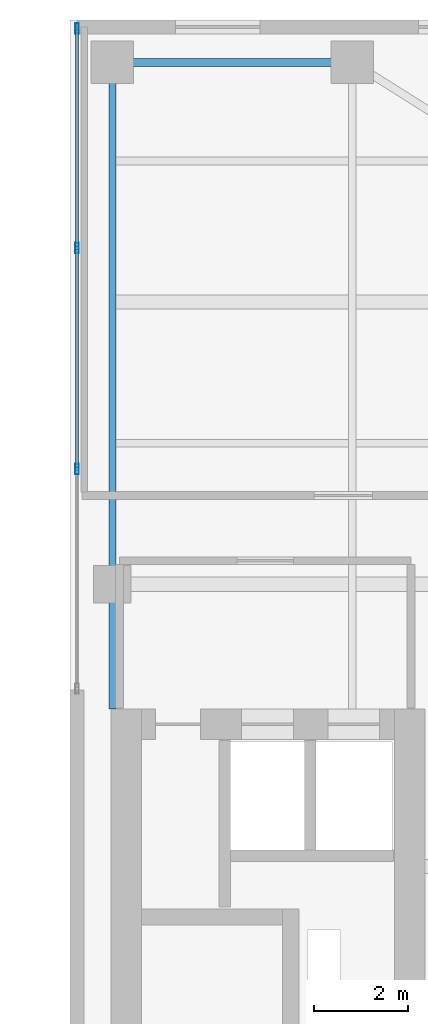
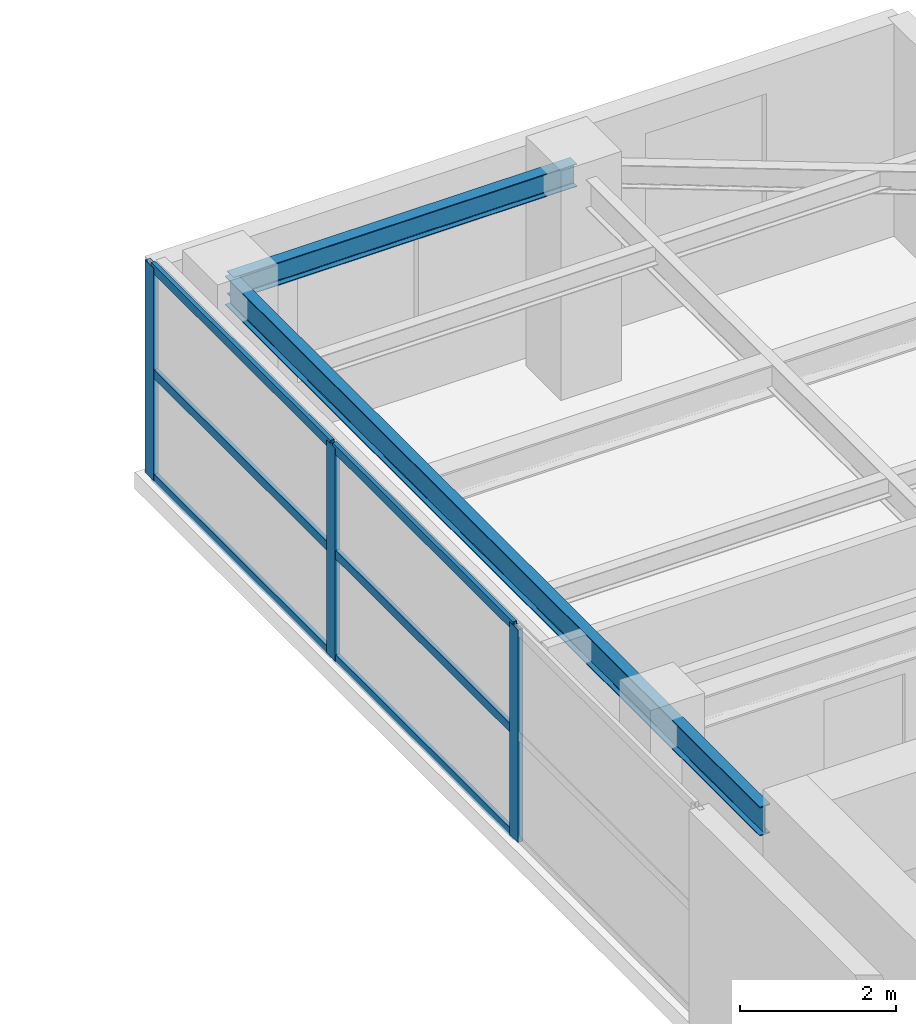
# One storey, part 14 of 20: 9 members, 2 beams, 1 element without a shape of its own.
"""IFC4 building model written with IfcOpenShell, lengths in metres."""

import ifcopenshell
import ifcopenshell.guid

model = None  # the IFC model being written
_history = None  # IfcOwnerHistory: only IFC2X3 demands one
_inside = {}  # id of a spatial element -> (the spatial element, [elements in it])
_under = {}  # id of a project, library or spatial element -> (it, [spatial elements below it])
_declared = {}  # id of a project -> (the project, [libraries it declares])
_typed = {}  # id of a type object -> (the type object, [elements of that type])
_made_of = {}  # id of a material, layer set ... -> (it, [elements and type objects made of it])


def new_model(schema):
    """Start an empty IFC model of exactly this schema.

    Asked for "IFC4X3", IfcOpenShell would pick the latest addendum, in which some entities
    have other attributes; the version numbers below select the first issue.
    IFC2X3 requires an IfcOwnerHistory on every rooted entity: one is made here for all.
    """
    global model, _history
    if schema == "IFC4X3":
        model = ifcopenshell.file(schema_version=(4, 3, 0, 0))
    else:
        model = ifcopenshell.file(schema=schema)
    _inside.clear()
    _under.clear()
    _declared.clear()
    _typed.clear()
    _made_of.clear()
    _history = None
    if model.schema == "IFC2X3":
        org = make("IfcOrganization", Name="unknown")
        user = make(
            "IfcPersonAndOrganization",
            ThePerson=make("IfcPerson", FamilyName="unknown"),
            TheOrganization=org,
        )
        app = make(
            "IfcApplication",
            ApplicationDeveloper=org,
            Version="unknown",
            ApplicationFullName="unknown",
            ApplicationIdentifier="unknown",
        )
        _history = make(
            "IfcOwnerHistory",
            OwningUser=user,
            OwningApplication=app,
            ChangeAction="ADDED",
            CreationDate=0,
        )
    return model


def make(cls, **values):
    """One entity of the class cls with the attributes given. An attribute that is None is left unset."""
    return model.create_entity(
        cls, **{name: value for name, value in values.items() if value is not None}
    )


def rooted(cls, **values):
    """An entity with a GlobalId (a new one), such as an element, a storey or a relation."""
    return make(cls, GlobalId=ifcopenshell.guid.new(), OwnerHistory=_history, **values)


def si_unit(unit_type, name, prefix=None):
    """IfcSIUnit, for example si_unit("LENGTHUNIT", "METRE", prefix="MILLI")."""
    return make("IfcSIUnit", UnitType=unit_type, Prefix=prefix, Name=name)


def assignment(units):
    """IfcUnitAssignment: the units of a project."""
    return None if units is None else make("IfcUnitAssignment", Units=units)


def point(xyz):
    """IfcCartesianPoint."""
    return None if xyz is None else make("IfcCartesianPoint", Coordinates=xyz)


def direction(xyz):
    """IfcDirection."""
    return None if xyz is None else make("IfcDirection", DirectionRatios=xyz)


def frame(location, z_axis=None, x_axis=None):
    """IfcAxis2Placement3D, a coordinate frame: its origin and axes. An axis left out is left unset."""
    return make(
        "IfcAxis2Placement3D",
        Location=point(location),
        Axis=direction(z_axis),
        RefDirection=direction(x_axis),
    )


def frame_2d(location, x_axis=None):
    """IfcAxis2Placement2D, a coordinate frame in the plane: its origin and x axis."""
    return make(
        "IfcAxis2Placement2D", Location=point(location), RefDirection=direction(x_axis)
    )


def origin():
    """The frame at (0, 0, 0) with its axes left unset."""
    return frame((0.0, 0.0, 0.0))


def origin_2d():
    """The frame at (0, 0) in the plane with its x axis left unset."""
    return frame_2d((0.0, 0.0))


def place(relative_to, where):
    """IfcLocalPlacement: puts the frame where relative to a parent placement (None: the world)."""
    return make(
        "IfcLocalPlacement", PlacementRelTo=relative_to, RelativePlacement=where
    )


def context(
    kind, dimensions, precision=None, world=None, true_north=None, identifier=None
):
    """IfcGeometricRepresentationContext, for example the 3D "Model" context."""
    return make(
        "IfcGeometricRepresentationContext",
        ContextIdentifier=identifier,
        ContextType=kind,
        CoordinateSpaceDimension=dimensions,
        Precision=precision,
        WorldCoordinateSystem=world,
        TrueNorth=true_north,
    )


def subcontext(parent, identifier, kind, view, scale=None):
    """IfcGeometricRepresentationSubContext, for example "Body" below "Model"."""
    return make(
        "IfcGeometricRepresentationSubContext",
        ContextIdentifier=identifier,
        ContextType=kind,
        ParentContext=parent,
        TargetScale=scale,
        TargetView=view,
    )


def project(units=None, contexts=None):
    """IfcProject with its units and contexts."""
    return rooted(
        "IfcProject",
        Name="project",
        RepresentationContexts=contexts,
        UnitsInContext=assignment(units),
    )


def spatial(cls, under=None, at=None, **own):
    """A site, building, storey or space (cls), placed at a placement, below another one or the project."""
    s = rooted(cls, ObjectPlacement=at, **own)
    if under is not None:
        _under.setdefault(under.id(), (under, []))[1].append(s)
    return s


def profile(cls, at=None, kind="AREA", **sizes):
    """A parametric profile (cls). Its sizes go by their IFC names, for example OverallWidth=200.0."""
    return make(cls, ProfileType=kind, Position=at, **sizes)


def hollow_rectangle(**sizes):
    """IfcRectangleHollowProfileDef."""
    return profile("IfcRectangleHollowProfileDef", **sizes)


def i_section(**sizes):
    """IfcIShapeProfileDef."""
    return profile("IfcIShapeProfileDef", **sizes)


def extrude(swept, where, along, depth):
    """IfcExtrudedAreaSolid: the profile swept, set in the frame where, extruded along a direction by depth."""
    return make(
        "IfcExtrudedAreaSolid",
        SweptArea=swept,
        Position=where,
        ExtrudedDirection=direction(along),
        Depth=depth,
    )


def shape(context_of_items, identifier, shape_type, items):
    """IfcShapeRepresentation: the items that make up one representation, for example the "Body"."""
    return make(
        "IfcShapeRepresentation",
        ContextOfItems=context_of_items,
        RepresentationIdentifier=identifier,
        RepresentationType=shape_type,
        Items=items,
    )


def source(mapping_origin, context_of_items, identifier, shape_type, items):
    """IfcRepresentationMap: a shape defined once, which mapped items show again and again."""
    return make(
        "IfcRepresentationMap",
        MappingOrigin=mapping_origin,
        MappedRepresentation=shape(context_of_items, identifier, shape_type, items),
    )


def transform(
    local_origin,
    x_axis=None,
    y_axis=None,
    z_axis=None,
    scale=None,
    scale2=None,
    scale3=None,
    uniform=True,
):
    """IfcCartesianTransformationOperator3D, or its non-uniform kind. x_axis, y_axis, z_axis: its Axis1, 2, 3."""
    if uniform:
        return make(
            "IfcCartesianTransformationOperator3D",
            Axis1=direction(x_axis),
            Axis2=direction(y_axis),
            LocalOrigin=point(local_origin),
            Scale=scale,
            Axis3=direction(z_axis),
        )
    return make(
        "IfcCartesianTransformationOperator3DnonUniform",
        Axis1=direction(x_axis),
        Axis2=direction(y_axis),
        LocalOrigin=point(local_origin),
        Scale=scale,
        Axis3=direction(z_axis),
        Scale2=scale2,
        Scale3=scale3,
    )


def mapped(mapping_source, mapping_target):
    """IfcMappedItem: shows the shape of a source again, moved by a transform."""
    return make(
        "IfcMappedItem", MappingSource=mapping_source, MappingTarget=mapping_target
    )


def material(Name=None, Category=None):
    """IfcMaterial."""
    return make("IfcMaterial", Name=Name, Category=Category)


def layer(
    of_material, thickness, ventilated=None, Name=None, Category=None, Priority=None
):
    """IfcMaterialLayer: one layer of a wall or slab, of a material (None: an air gap)."""
    return make(
        "IfcMaterialLayer",
        Material=of_material,
        LayerThickness=thickness,
        IsVentilated=ventilated,
        Name=Name,
        Category=Category,
        Priority=Priority,
    )


def layer_set(layers, Name=None):
    """IfcMaterialLayerSet."""
    return make("IfcMaterialLayerSet", MaterialLayers=layers, LayerSetName=Name)


def material_profile(
    of_material, cross_section, Name=None, Category=None, Priority=None
):
    """IfcMaterialProfile: a cross section and its material."""
    return make(
        "IfcMaterialProfile",
        Name=Name,
        Material=of_material,
        Profile=cross_section,
        Priority=Priority,
        Category=Category,
    )


def profile_set(profiles, Name=None, composite=None):
    """IfcMaterialProfileSet."""
    return make(
        "IfcMaterialProfileSet",
        Name=Name,
        MaterialProfiles=profiles,
        CompositeProfile=composite,
    )


def made_of(thing, what):
    """Note that an element or type object is made of a material, layer set ...; save() writes the relation."""
    if what is not None:
        _made_of.setdefault(what.id(), (what, []))[1].append(thing)
    return thing


def type_object(cls, material=None, **own):
    """A type object (cls), such as IfcWallType, which elements share."""
    return made_of(rooted(cls, **own), material)


def element(
    cls,
    number,
    at=None,
    inside=None,
    cuts=None,
    type_object=None,
    material=None,
    context=None,
    identifier="Body",
    shape_type=None,
    held_by="IfcProductDefinitionShape",
    body=None,
    shapes=None,
    **own,
):
    """One element of the class cls, such as IfcWall. Its Tag is "e" and its number.

    at: its placement. inside: the storey or other place that contains it. cuts: it is an
    opening in that element (IfcRelVoidsElement). A single representation is given by context,
    identifier, shape_type and body (its items); several are given by shapes. held_by: the class
    of the entity that holds the representations. save() writes the other relations.
    """
    e = rooted(cls, Tag="e%d" % number, ObjectPlacement=at, **own)
    if body is not None:
        shapes = [shape(context, identifier, shape_type, body)]
    if shapes is not None:
        e.Representation = make(held_by, Representations=shapes)
    if inside is not None:
        _inside.setdefault(inside.id(), (inside, []))[1].append(e)
    if cuts is not None:
        rooted(
            "IfcRelVoidsElement", RelatingBuildingElement=cuts, RelatedOpeningElement=e
        )
    if type_object is not None:
        _typed.setdefault(type_object.id(), (type_object, []))[1].append(e)
    return made_of(e, material)


def aggregate(whole, parts):
    """IfcRelAggregates: a whole, such as a stair, and the parts it consists of."""
    return rooted("IfcRelAggregates", RelatingObject=whole, RelatedObjects=parts)


def save(model, path):
    """Write the relations noted so far, then the file.

    IfcRelAggregates (storeys below a building ...), IfcRelContainedInSpatialStructure (elements
    in a storey), IfcRelDefinesByType, IfcRelAssociatesMaterial and IfcRelDeclares: one each for
    every whole, place, type object, material and project.
    """
    for whole, parts in _under.values():
        aggregate(whole, parts)
    for where, things in _inside.values():
        rooted(
            "IfcRelContainedInSpatialStructure",
            RelatedElements=things,
            RelatingStructure=where,
        )
    for kind, things in _typed.values():
        rooted("IfcRelDefinesByType", RelatedObjects=things, RelatingType=kind)
    for what, things in _made_of.values():
        rooted("IfcRelAssociatesMaterial", RelatedObjects=things, RelatingMaterial=what)
    for by, libraries in _declared.values():
        rooted("IfcRelDeclares", RelatingContext=by, RelatedDefinitions=libraries)
    model.write(path)


model = new_model("IFC4")

# Units and contexts
model_context = context("Model", 3, precision=1e-05, world=origin(), true_north=direction((0.0, 1.0)))
body_context = subcontext(model_context, "Body", "Model", "MODEL_VIEW")
ifc_project = project(units=[si_unit("LENGTHUNIT", "METRE"), si_unit("AREAUNIT", "SQUARE_METRE"), si_unit("VOLUMEUNIT", "CUBIC_METRE"), si_unit("PLANEANGLEUNIT", "RADIAN"), si_unit("MASSUNIT", "GRAM", prefix="KILO")], contexts=[model_context])

# Site, building, storey
site_placement = place(None, origin())
site = spatial("IfcSite", under=ifc_project, at=site_placement, CompositionType="ELEMENT")
building_placement = place(site_placement, origin())
building = spatial("IfcBuilding", under=site, at=building_placement, Name="Khoralis Quay Care Tower", CompositionType="ELEMENT")
storey_placement = place(building_placement, frame((0.0, 0.0, 198.89990234375)))
storey = spatial("IfcBuildingStorey", under=building, at=storey_placement, Name="L52", CompositionType="ELEMENT", Elevation=198.89990234375)

# Beams
ifc_material_1 = material(Name="Steel S355", Category="steel")
ifc_material_profile_1 = material_profile(ifc_material_1, i_section(OverallWidth=0.169921875, OverallDepth=0.360107421875, WebThickness=0.008056640625, FlangeThickness=0.0126953125, FilletRadius=0.01806640625, at=origin_2d()), Name="Steel S355")
ifc_profile_set_1 = profile_set([ifc_material_profile_1], Name="Steel S355")
beam_type_1 = type_object("IfcBeamType", Name="BM-IPE360", PredefinedType="SPANDREL", material=ifc_profile_set_1)
shared_shape_1 = source(origin(), body_context, "Body", "SweptSolid", [
    extrude(i_section(OverallWidth=0.169921875, OverallDepth=0.360107421875, WebThickness=0.008056640625, FlangeThickness=0.0126953125, FilletRadius=0.01806640625, at=origin_2d()), origin(), (0.0, 0.0, 1.0), 5.10009765625),
])
beam_1_placement = place(storey_placement, frame((30.89990234375, 41.10009765625, 3.16015625), z_axis=(1.0, 0.0, 0.0), x_axis=(0.0, 1.0, 0.0)))
element("IfcBeam", 1, at=beam_1_placement, inside=storey, type_object=beam_type_1, Name="BM-TSP-L52-04", PredefinedType="SPANDREL", context=body_context, shape_type="MappedRepresentation", body=[
    mapped(shared_shape_1, transform((0.0, 0.0, 0.0), scale=1.0)),
])
ifc_material_profile_2 = material_profile(ifc_material_1, i_section(OverallWidth=0.154052734375, OverallDepth=0.458984375, WebThickness=0.009033203125, FlangeThickness=0.015380859375, FilletRadius=0.014892578125, at=origin_2d()), Name="Steel S355")
ifc_profile_set_2 = profile_set([ifc_material_profile_2], Name="Steel S355")
beam_type_2 = type_object("IfcBeamType", Name="BM-W460X68", PredefinedType="BEAM", material=ifc_profile_set_2)
shared_shape_2 = source(origin(), body_context, "Body", "SweptSolid", [
    extrude(i_section(OverallWidth=0.154052734375, OverallDepth=0.458984375, WebThickness=0.009033203125, FlangeThickness=0.015380859375, FilletRadius=0.014892578125, at=origin_2d()), origin(), (0.0, 0.0, 1.0), 13.752197265625),
])
beam_2_placement = place(storey_placement, frame((30.89990234375, 27.347900390625, 3.110595703125), z_axis=(0.0, 1.0, 0.0), x_axis=(-1.0, 0.0, 0.0)))
element("IfcBeam", 2, at=beam_2_placement, inside=storey, type_object=beam_type_2, Name="BM-TGYN-L52-309", PredefinedType="BEAM", context=body_context, shape_type="MappedRepresentation", body=[
    mapped(shared_shape_2, transform((0.0, 0.0, 0.0), scale=1.0)),
])

# Curtain wall, members
ifc_material_2 = material(Name="Pale anodised aluminium", Category="aluminium")
ifc_layer = layer(ifc_material_2, 0.18994140625)
ifc_layer_set = layer_set([ifc_layer], Name="Pale anodised aluminium")
curtain_wall_type = type_object("IfcCurtainWallType", Name="CW-SYS-PORTAL", PredefinedType="NOTDEFINED", material=ifc_layer_set)
curtain_wall_placement = place(storey_placement, origin())
curtain_wall = element("IfcCurtainWall", 3, at=curtain_wall_placement, inside=storey, type_object=curtain_wall_type, Name="L52 Unitised Curtain Wall CW-VP-L52-P2-N", PredefinedType="NOTDEFINED")
ifc_material_profile_3 = material_profile(ifc_material_2, hollow_rectangle(XDim=0.074951171875, YDim=0.219970703125, WallThickness=0.00390625, at=origin_2d()), Name="Pale anodised aluminium")
ifc_profile_set_3 = profile_set([ifc_material_profile_3], Name="Pale anodised aluminium")
member_type_1 = type_object("IfcMemberType", Name="CW-MUL-220", PredefinedType="MULLION", material=ifc_profile_set_3)
shared_shape_3 = source(origin(), body_context, "Body", "SweptSolid", [
    extrude(hollow_rectangle(XDim=0.074951171875, YDim=0.219970703125, WallThickness=0.00390625, at=origin_2d()), origin(), (0.0, 0.0, 1.0), 3.340087890625),
])
member_1_placement = place(storey_placement, frame((30.14990234375, 32.449951171875, 0.0), z_axis=(0.0, 0.0, 1.0), x_axis=(-1.0, 0.0, 0.0)))
member_1 = element("IfcMember", 4, at=member_1_placement, type_object=member_type_1, Name="CW4 mullion 2", PredefinedType="MULLION", context=body_context, shape_type="MappedRepresentation", body=[
    mapped(shared_shape_3, transform((0.0, 0.0, 0.0), scale=1.0)),
])
member_2_placement = place(storey_placement, frame((30.14990234375, 37.14990234375, 0.0), z_axis=(0.0, 0.0, 1.0), x_axis=(-1.0, 0.0, 0.0)))
member_2 = element("IfcMember", 5, at=member_2_placement, type_object=member_type_1, Name="CW4 mullion 3", PredefinedType="MULLION", context=body_context, shape_type="MappedRepresentation", body=[
    mapped(shared_shape_3, transform((0.0, 0.0, 0.0), scale=1.0)),
])
member_3_placement = place(storey_placement, frame((30.14990234375, 41.820068359375, 0.0), z_axis=(0.0, 0.0, 1.0), x_axis=(-1.0, 0.0, 0.0)))
member_3 = element("IfcMember", 6, at=member_3_placement, type_object=member_type_1, Name="CW4 mullion 4", PredefinedType="MULLION", context=body_context, shape_type="MappedRepresentation", body=[
    mapped(shared_shape_3, transform((0.0, 0.0, 0.0), scale=1.0)),
])
ifc_material_profile_4 = material_profile(ifc_material_2, hollow_rectangle(XDim=0.06005859375, YDim=0.139892578125, WallThickness=0.00390625, at=origin_2d()), Name="Pale anodised aluminium")
ifc_profile_set_4 = profile_set([ifc_material_profile_4], Name="Pale anodised aluminium")
member_type_2 = type_object("IfcMemberType", Name="CW-TRN-140", PredefinedType="USERDEFINED", material=ifc_profile_set_4)
shared_shape_4 = source(origin(), body_context, "Body", "SweptSolid", [
    extrude(hollow_rectangle(XDim=0.06005859375, YDim=0.139892578125, WallThickness=0.00390625, at=origin_2d()), origin(), (0.0, 0.0, 1.0), 4.610107421875),
])
member_4_placement = place(storey_placement, frame((30.14990234375, 37.179931640625, 0.030029296875), z_axis=(0.0, 1.0, 0.0), x_axis=(-1.0, 0.0, 0.0)))
member_4 = element("IfcMember", 7, at=member_4_placement, type_object=member_type_2, Name="CW4 transom 3.1", ObjectType="TRANSOM", PredefinedType="USERDEFINED", context=body_context, shape_type="MappedRepresentation", body=[
    mapped(shared_shape_4, transform((0.0, 0.0, 0.0), scale=1.0)),
])
member_5_placement = place(storey_placement, frame((30.14990234375, 37.179931640625, 1.670166015625), z_axis=(0.0, 1.0, 0.0), x_axis=(-1.0, 0.0, 0.0)))
member_5 = element("IfcMember", 8, at=member_5_placement, type_object=member_type_2, Name="CW4 transom 3.2", ObjectType="TRANSOM", PredefinedType="USERDEFINED", context=body_context, shape_type="MappedRepresentation", body=[
    mapped(shared_shape_4, transform((0.0, 0.0, 0.0), scale=1.0)),
])
member_6_placement = place(storey_placement, frame((30.14990234375, 37.179931640625, 3.31005859375), z_axis=(0.0, 1.0, 0.0), x_axis=(-1.0, 0.0, 0.0)))
member_6 = element("IfcMember", 9, at=member_6_placement, type_object=member_type_2, Name="CW4 transom 3.3", ObjectType="TRANSOM", PredefinedType="USERDEFINED", context=body_context, shape_type="MappedRepresentation", body=[
    mapped(shared_shape_4, transform((0.0, 0.0, 0.0), scale=1.0)),
])
shared_shape_5 = source(origin(), body_context, "Body", "SweptSolid", [
    extrude(hollow_rectangle(XDim=0.06005859375, YDim=0.139892578125, WallThickness=0.00390625, at=origin_2d()), origin(), (0.0, 0.0, 1.0), 4.64013671875),
])
member_7_placement = place(storey_placement, frame((30.14990234375, 32.47998046875, 0.030029296875), z_axis=(0.0, 1.0, 0.0), x_axis=(-1.0, 0.0, 0.0)))
member_7 = element("IfcMember", 10, at=member_7_placement, type_object=member_type_2, Name="CW4 transom 2.1", ObjectType="TRANSOM", PredefinedType="USERDEFINED", context=body_context, shape_type="MappedRepresentation", body=[
    mapped(shared_shape_5, transform((0.0, 0.0, 0.0), scale=1.0)),
])
member_8_placement = place(storey_placement, frame((30.14990234375, 32.47998046875, 1.670166015625), z_axis=(0.0, 1.0, 0.0), x_axis=(-1.0, 0.0, 0.0)))
member_8 = element("IfcMember", 11, at=member_8_placement, type_object=member_type_2, Name="CW4 transom 2.2", ObjectType="TRANSOM", PredefinedType="USERDEFINED", context=body_context, shape_type="MappedRepresentation", body=[
    mapped(shared_shape_5, transform((0.0, 0.0, 0.0), scale=1.0)),
])
member_9_placement = place(storey_placement, frame((30.14990234375, 32.47998046875, 3.31005859375), z_axis=(0.0, 1.0, 0.0), x_axis=(-1.0, 0.0, 0.0)))
member_9 = element("IfcMember", 12, at=member_9_placement, type_object=member_type_2, Name="CW4 transom 2.3", ObjectType="TRANSOM", PredefinedType="USERDEFINED", context=body_context, shape_type="MappedRepresentation", body=[
    mapped(shared_shape_5, transform((0.0, 0.0, 0.0), scale=1.0)),
])
aggregate(curtain_wall, [member_1, member_2, member_3, member_7, member_8, member_9, member_4, member_5, member_6])

save(model, "model.ifc")
